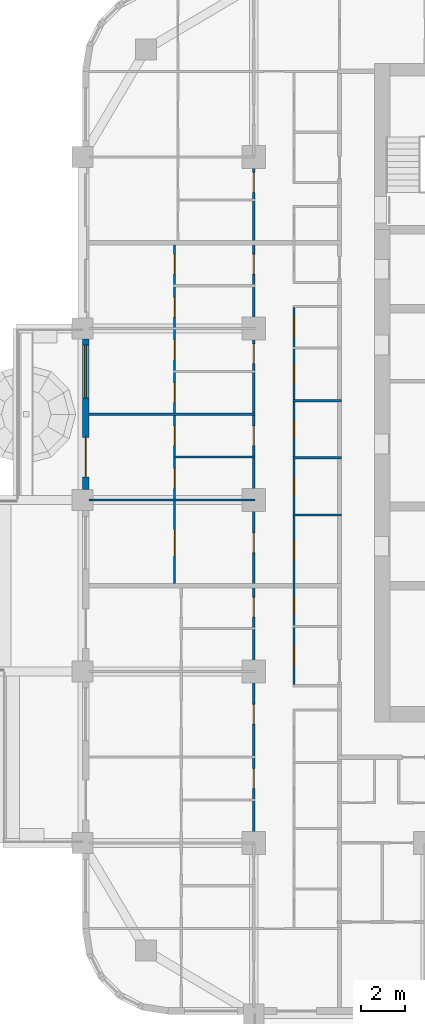
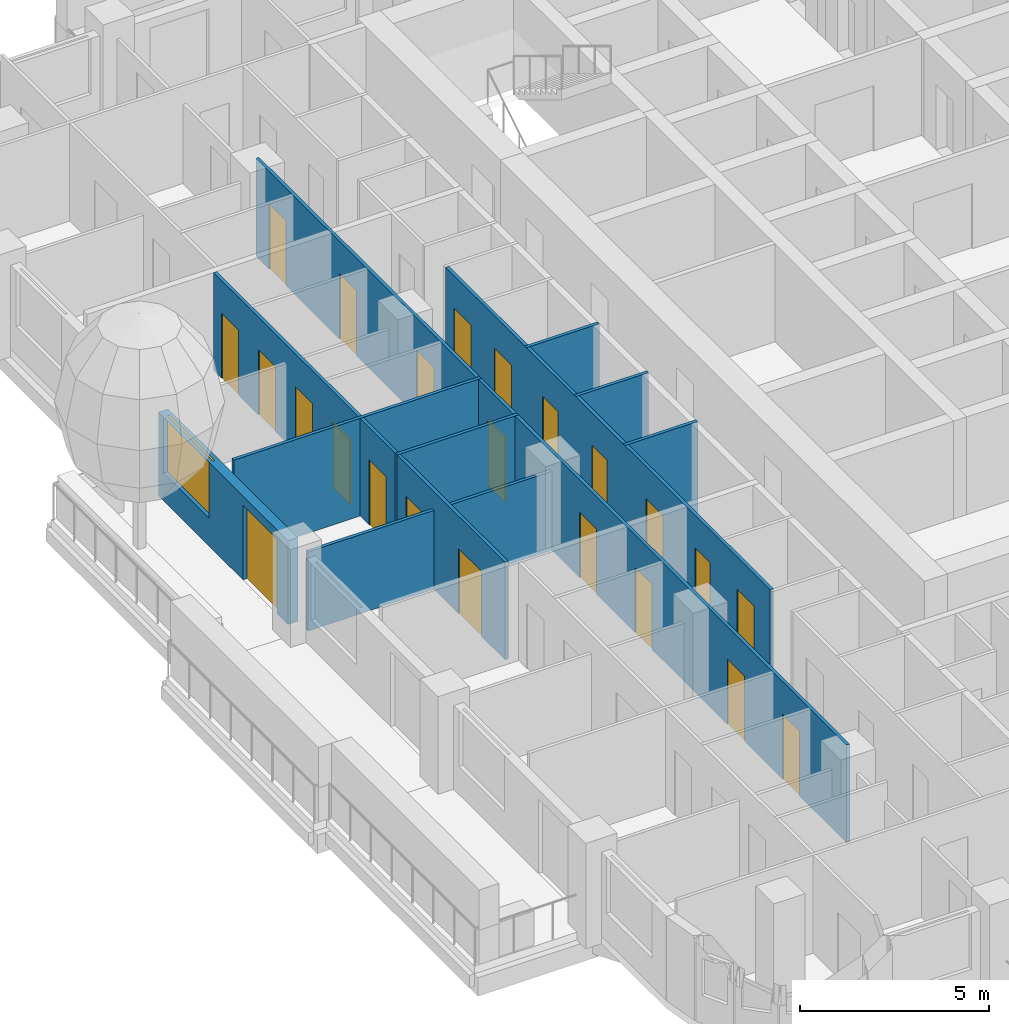
# One storey, part 5 of 18: 23 doors, 10 walls, 1 window, 24 openings.
"""IFC4 building model written with IfcOpenShell, lengths in metres."""

import ifcopenshell
import ifcopenshell.guid

model = None  # the IFC model being written
_history = None  # IfcOwnerHistory: only IFC2X3 demands one
_inside = {}  # id of a spatial element -> (the spatial element, [elements in it])
_under = {}  # id of a project, library or spatial element -> (it, [spatial elements below it])
_declared = {}  # id of a project -> (the project, [libraries it declares])
_typed = {}  # id of a type object -> (the type object, [elements of that type])
_made_of = {}  # id of a material, layer set ... -> (it, [elements and type objects made of it])


def new_model(schema):
    """Start an empty IFC model of exactly this schema.

    Asked for "IFC4X3", IfcOpenShell would pick the latest addendum, in which some entities
    have other attributes; the version numbers below select the first issue.
    IFC2X3 requires an IfcOwnerHistory on every rooted entity: one is made here for all.
    """
    global model, _history
    if schema == "IFC4X3":
        model = ifcopenshell.file(schema_version=(4, 3, 0, 0))
    else:
        model = ifcopenshell.file(schema=schema)
    _inside.clear()
    _under.clear()
    _declared.clear()
    _typed.clear()
    _made_of.clear()
    _history = None
    if model.schema == "IFC2X3":
        org = make("IfcOrganization", Name="unknown")
        user = make(
            "IfcPersonAndOrganization",
            ThePerson=make("IfcPerson", FamilyName="unknown"),
            TheOrganization=org,
        )
        app = make(
            "IfcApplication",
            ApplicationDeveloper=org,
            Version="unknown",
            ApplicationFullName="unknown",
            ApplicationIdentifier="unknown",
        )
        _history = make(
            "IfcOwnerHistory",
            OwningUser=user,
            OwningApplication=app,
            ChangeAction="ADDED",
            CreationDate=0,
        )
    return model


def make(cls, **values):
    """One entity of the class cls with the attributes given. An attribute that is None is left unset."""
    return model.create_entity(
        cls, **{name: value for name, value in values.items() if value is not None}
    )


def rooted(cls, **values):
    """An entity with a GlobalId (a new one), such as an element, a storey or a relation."""
    return make(cls, GlobalId=ifcopenshell.guid.new(), OwnerHistory=_history, **values)


def si_unit(unit_type, name, prefix=None):
    """IfcSIUnit, for example si_unit("LENGTHUNIT", "METRE", prefix="MILLI")."""
    return make("IfcSIUnit", UnitType=unit_type, Prefix=prefix, Name=name)


def assignment(units):
    """IfcUnitAssignment: the units of a project."""
    return None if units is None else make("IfcUnitAssignment", Units=units)


def point(xyz):
    """IfcCartesianPoint."""
    return None if xyz is None else make("IfcCartesianPoint", Coordinates=xyz)


def direction(xyz):
    """IfcDirection."""
    return None if xyz is None else make("IfcDirection", DirectionRatios=xyz)


def frame(location, z_axis=None, x_axis=None):
    """IfcAxis2Placement3D, a coordinate frame: its origin and axes. An axis left out is left unset."""
    return make(
        "IfcAxis2Placement3D",
        Location=point(location),
        Axis=direction(z_axis),
        RefDirection=direction(x_axis),
    )


def frame_2d(location, x_axis=None):
    """IfcAxis2Placement2D, a coordinate frame in the plane: its origin and x axis."""
    return make(
        "IfcAxis2Placement2D", Location=point(location), RefDirection=direction(x_axis)
    )


def origin():
    """The frame at (0, 0, 0) with its axes left unset."""
    return frame((0.0, 0.0, 0.0))


def place(relative_to, where):
    """IfcLocalPlacement: puts the frame where relative to a parent placement (None: the world)."""
    return make(
        "IfcLocalPlacement", PlacementRelTo=relative_to, RelativePlacement=where
    )


def context(
    kind, dimensions, precision=None, world=None, true_north=None, identifier=None
):
    """IfcGeometricRepresentationContext, for example the 3D "Model" context."""
    return make(
        "IfcGeometricRepresentationContext",
        ContextIdentifier=identifier,
        ContextType=kind,
        CoordinateSpaceDimension=dimensions,
        Precision=precision,
        WorldCoordinateSystem=world,
        TrueNorth=true_north,
    )


def subcontext(parent, identifier, kind, view, scale=None):
    """IfcGeometricRepresentationSubContext, for example "Body" below "Model"."""
    return make(
        "IfcGeometricRepresentationSubContext",
        ContextIdentifier=identifier,
        ContextType=kind,
        ParentContext=parent,
        TargetScale=scale,
        TargetView=view,
    )


def project(units=None, contexts=None):
    """IfcProject with its units and contexts."""
    return rooted(
        "IfcProject",
        Name="project",
        RepresentationContexts=contexts,
        UnitsInContext=assignment(units),
    )


def spatial(cls, under=None, at=None, **own):
    """A site, building, storey or space (cls), placed at a placement, below another one or the project."""
    s = rooted(cls, ObjectPlacement=at, **own)
    if under is not None:
        _under.setdefault(under.id(), (under, []))[1].append(s)
    return s


def profile(cls, at=None, kind="AREA", **sizes):
    """A parametric profile (cls). Its sizes go by their IFC names, for example OverallWidth=200.0."""
    return make(cls, ProfileType=kind, Position=at, **sizes)


def rectangle(**sizes):
    """IfcRectangleProfileDef."""
    return profile("IfcRectangleProfileDef", **sizes)


def extrude(swept, where, along, depth):
    """IfcExtrudedAreaSolid: the profile swept, set in the frame where, extruded along a direction by depth."""
    return make(
        "IfcExtrudedAreaSolid",
        SweptArea=swept,
        Position=where,
        ExtrudedDirection=direction(along),
        Depth=depth,
    )


def shape(context_of_items, identifier, shape_type, items):
    """IfcShapeRepresentation: the items that make up one representation, for example the "Body"."""
    return make(
        "IfcShapeRepresentation",
        ContextOfItems=context_of_items,
        RepresentationIdentifier=identifier,
        RepresentationType=shape_type,
        Items=items,
    )


def material(Name=None, Category=None):
    """IfcMaterial."""
    return make("IfcMaterial", Name=Name, Category=Category)


def layer(
    of_material, thickness, ventilated=None, Name=None, Category=None, Priority=None
):
    """IfcMaterialLayer: one layer of a wall or slab, of a material (None: an air gap)."""
    return make(
        "IfcMaterialLayer",
        Material=of_material,
        LayerThickness=thickness,
        IsVentilated=ventilated,
        Name=Name,
        Category=Category,
        Priority=Priority,
    )


def layer_set(layers, Name=None):
    """IfcMaterialLayerSet."""
    return make("IfcMaterialLayerSet", MaterialLayers=layers, LayerSetName=Name)


def made_of(thing, what):
    """Note that an element or type object is made of a material, layer set ...; save() writes the relation."""
    if what is not None:
        _made_of.setdefault(what.id(), (what, []))[1].append(thing)
    return thing


def type_object(cls, material=None, **own):
    """A type object (cls), such as IfcWallType, which elements share."""
    return made_of(rooted(cls, **own), material)


def element(
    cls,
    number,
    at=None,
    inside=None,
    cuts=None,
    type_object=None,
    material=None,
    context=None,
    identifier="Body",
    shape_type=None,
    held_by="IfcProductDefinitionShape",
    body=None,
    shapes=None,
    **own,
):
    """One element of the class cls, such as IfcWall. Its Tag is "e" and its number.

    at: its placement. inside: the storey or other place that contains it. cuts: it is an
    opening in that element (IfcRelVoidsElement). A single representation is given by context,
    identifier, shape_type and body (its items); several are given by shapes. held_by: the class
    of the entity that holds the representations. save() writes the other relations.
    """
    e = rooted(cls, Tag="e%d" % number, ObjectPlacement=at, **own)
    if body is not None:
        shapes = [shape(context, identifier, shape_type, body)]
    if shapes is not None:
        e.Representation = make(held_by, Representations=shapes)
    if inside is not None:
        _inside.setdefault(inside.id(), (inside, []))[1].append(e)
    if cuts is not None:
        rooted(
            "IfcRelVoidsElement", RelatingBuildingElement=cuts, RelatedOpeningElement=e
        )
    if type_object is not None:
        _typed.setdefault(type_object.id(), (type_object, []))[1].append(e)
    return made_of(e, material)


def fill(opening, filler):
    """IfcRelFillsElement: the door or window that sits in an opening."""
    return rooted(
        "IfcRelFillsElement",
        RelatingOpeningElement=opening,
        RelatedBuildingElement=filler,
    )


def aggregate(whole, parts):
    """IfcRelAggregates: a whole, such as a stair, and the parts it consists of."""
    return rooted("IfcRelAggregates", RelatingObject=whole, RelatedObjects=parts)


def save(model, path):
    """Write the relations noted so far, then the file.

    IfcRelAggregates (storeys below a building ...), IfcRelContainedInSpatialStructure (elements
    in a storey), IfcRelDefinesByType, IfcRelAssociatesMaterial and IfcRelDeclares: one each for
    every whole, place, type object, material and project.
    """
    for whole, parts in _under.values():
        aggregate(whole, parts)
    for where, things in _inside.values():
        rooted(
            "IfcRelContainedInSpatialStructure",
            RelatedElements=things,
            RelatingStructure=where,
        )
    for kind, things in _typed.values():
        rooted("IfcRelDefinesByType", RelatedObjects=things, RelatingType=kind)
    for what, things in _made_of.values():
        rooted("IfcRelAssociatesMaterial", RelatedObjects=things, RelatingMaterial=what)
    for by, libraries in _declared.values():
        rooted("IfcRelDeclares", RelatingContext=by, RelatedDefinitions=libraries)
    model.write(path)


model = new_model("IFC4")

# Units and contexts
model_context = context("Model", 3, precision=1e-05, world=origin(), true_north=direction((0.0, 1.0)))
body_context = subcontext(model_context, "Body", "Model", "MODEL_VIEW")
ifc_project = project(units=[si_unit("LENGTHUNIT", "METRE"), si_unit("AREAUNIT", "SQUARE_METRE"), si_unit("VOLUMEUNIT", "CUBIC_METRE"), si_unit("PLANEANGLEUNIT", "RADIAN"), si_unit("MASSUNIT", "GRAM", prefix="KILO")], contexts=[model_context])

# Site, building, storey
site_placement = place(None, origin())
site = spatial("IfcSite", under=ifc_project, at=site_placement, CompositionType="ELEMENT")
building_placement = place(site_placement, origin())
building = spatial("IfcBuilding", under=site, at=building_placement, Name="Ludao Terraces", CompositionType="ELEMENT")
storey_placement = place(building_placement, frame((0.0, 0.0, 58.0)))
storey = spatial("IfcBuildingStorey", under=building, at=storey_placement, Name="L15", CompositionType="ELEMENT", Elevation=58.0)

# Wall, openings, door, window
ifc_material_1 = material(Name="Granite cladding", Category="masonry")
ifc_layer_1 = layer(ifc_material_1, 0.0400390625, Category="stone")
ifc_material_2 = material(Name="Mineral wool")
ifc_layer_2 = layer(ifc_material_2, 0.06005859375)
ifc_material_3 = material(Name="Concrete C40", Category="concrete")
ifc_layer_3 = layer(ifc_material_3, 0.199951171875, Category="concrete")
ifc_layer_set_1 = layer_set([ifc_layer_1, ifc_layer_2, ifc_layer_3], Name="ENV Stone-clad wall 300")
wall_type_1 = type_object("IfcWallType", Name="ENV Stone-clad wall 300", PredefinedType="SOLIDWALL", material=ifc_layer_set_1)
wall_1_placement = place(storey_placement, frame((61.75, 65.47509765625, 0.0), z_axis=(0.0, 0.0, 1.0), x_axis=(0.0, 1.0, 0.0)))
wall_1 = element("IfcWall", 1, at=wall_1_placement, inside=storey, type_object=wall_type_1, Name="EW-L15-W4", PredefinedType="SOLIDWALL", context=body_context, shape_type="SweptSolid", body=[
    extrude(rectangle(XDim=6.849853515625, YDim=0.300048828125, at=frame_2d((3.4248046875, 0.0))), origin(), (0.0, 0.0, 1.0), 2.699951171875),
])
opening_1_placement = place(wall_1_placement, frame((0.574951171875, 0.0, 0.0)))
opening_1 = element("IfcOpeningElement", 2, at=opening_1_placement, cuts=wall_1, Name="Opening BD", PredefinedType="OPENING", context=body_context, shape_type="SweptSolid", body=[
    extrude(rectangle(XDim=1.800048828125, YDim=2.39990234375, at=frame_2d((0.89990234375, 1.199951171875))), frame((0.0, 0.16015625, 0.0), z_axis=(0.0, -1.0, 0.0), x_axis=(1.0, 0.0, 0.0)), (0.0, 0.0, 1.0), 0.320068359375),
])
opening_2_placement = place(wall_1_placement, frame((4.175048828125, 0.0, 0.89990234375)))
opening_2 = element("IfcOpeningElement", 3, at=opening_2_placement, cuts=wall_1, Name="Opening W1", PredefinedType="OPENING", context=body_context, shape_type="SweptSolid", body=[
    extrude(rectangle(XDim=2.39990234375, YDim=1.800048828125, at=frame_2d((1.199951171875, 0.89990234375))), frame((0.0, 0.16015625, 0.0), z_axis=(0.0, -1.0, 0.0), x_axis=(1.0, 0.0, 0.0)), (0.0, 0.0, 1.0), 0.320068359375),
])
ifc_material_4 = material(Name="Aluminium glazed door", Category="aluminium")
ifc_layer_4 = layer(ifc_material_4, 0.06005859375)
ifc_layer_set_2 = layer_set([ifc_layer_4], Name="ENV Balcony door BD 1800x2400")
door_type_1 = type_object("IfcDoorType", Name="ENV Balcony door BD 1800x2400", OperationType="DOUBLE_DOOR_SINGLE_SWING", PredefinedType="DOOR", material=ifc_layer_set_2)
door_1_placement = place(opening_1_placement, origin())
door_1 = element("IfcDoor", 4, at=door_1_placement, inside=storey, type_object=door_type_1, Name="BD-L15-W4-1", OperationType="DOUBLE_DOOR_SINGLE_SWING", OverallHeight=2.39990234375, OverallWidth=1.800048828125, PredefinedType="DOOR", context=body_context, shape_type="SweptSolid", body=[
    extrude(rectangle(XDim=1.800048828125, YDim=2.39990234375, at=frame_2d((0.89990234375, 1.199951171875))), frame((0.0, 0.02490234375, 0.0), z_axis=(0.0, -1.0, 0.0), x_axis=(1.0, 0.0, 0.0)), (0.0, 0.0, 1.0), 0.050048828125),
])
fill(opening_1, door_1)
ifc_material_5 = material(Name="Clear glass in aluminium frame", Category="aluminium")
ifc_layer_5 = layer(ifc_material_5, 0.06005859375)
ifc_layer_set_3 = layer_set([ifc_layer_5], Name="ENV Window W1 2400x1800")
window_type = type_object("IfcWindowType", Name="ENV Window W1 2400x1800", PartitioningType="DOUBLE_PANEL_VERTICAL", PredefinedType="WINDOW", material=ifc_layer_set_3)
window_placement = place(opening_2_placement, origin())
window = element("IfcWindow", 5, at=window_placement, inside=storey, type_object=window_type, Name="W-L15-W4-2", OverallHeight=1.800048828125, OverallWidth=2.39990234375, PartitioningType="DOUBLE_PANEL_VERTICAL", PredefinedType="WINDOW", context=body_context, shape_type="SweptSolid", body=[
    extrude(rectangle(XDim=2.39990234375, YDim=1.800048828125, at=frame_2d((1.199951171875, 0.89990234375))), frame((0.0, 0.030029296875, 0.0), z_axis=(0.0, -1.0, 0.0), x_axis=(1.0, 0.0, 0.0)), (0.0, 0.0, 1.0), 0.06005859375),
])
fill(opening_2, window)

# Walls
ifc_material_6 = material(Name="Gypsum plasterboard", Category="gypsum")
ifc_layer_6 = layer(ifc_material_6, 0.012451171875, Category="gypsum")
ifc_layer_7 = layer(ifc_material_2, 0.06005859375, Name="insulation")
ifc_material_7 = material(Name="Steel Q235", Category="steel")
ifc_layer_8 = layer(ifc_material_7, 0.014892578125, Name="stud")
ifc_layer_9 = layer(ifc_material_6, 0.012451171875, Category="gypsum")
ifc_layer_set_4 = layer_set([ifc_layer_6, ifc_layer_7, ifc_layer_8, ifc_layer_9], Name="INT Partition 100")
wall_type_2 = type_object("IfcWallType", Name="INT Partition 100", PredefinedType="PARTITIONING", material=ifc_layer_set_4)
wall_2_placement = place(storey_placement, frame((71.18017578125, 64.320068359375, 0.0), z_axis=(0.0, 0.0, 1.0), x_axis=(1.0, 0.0, 0.0)))
element("IfcWall", 6, at=wall_2_placement, inside=storey, type_object=wall_type_2, Name="PW-L15-PW038", PredefinedType="PARTITIONING", context=body_context, shape_type="SweptSolid", body=[
    extrude(rectangle(XDim=2.219970703125, YDim=0.10009765625, at=frame_2d((1.10986328125, 0.0))), origin(), (0.0, 0.0, 1.0), 3.14990234375),
])
wall_3_placement = place(storey_placement, frame((61.900146484375, 65.0, 0.0), z_axis=(0.0, 0.0, 1.0), x_axis=(1.0, 0.0, 0.0)))
element("IfcWall", 7, at=wall_3_placement, inside=storey, type_object=wall_type_2, Name="PW-L15-PW039", PredefinedType="PARTITIONING", context=body_context, shape_type="SweptSolid", body=[
    extrude(rectangle(XDim=7.550048828125, YDim=0.10009765625, at=frame_2d((3.77490234375, 0.0))), origin(), (0.0, 0.0, 1.0), 2.550048828125),
])
wall_4_placement = place(storey_placement, frame((71.18017578125, 66.919921875, 0.0), z_axis=(0.0, 0.0, 1.0), x_axis=(1.0, 0.0, 0.0)))
element("IfcWall", 8, at=wall_4_placement, inside=storey, type_object=wall_type_2, Name="PW-L15-PW042", PredefinedType="PARTITIONING", context=body_context, shape_type="SweptSolid", body=[
    extrude(rectangle(XDim=2.219970703125, YDim=0.10009765625, at=frame_2d((1.10986328125, 0.0))), origin(), (0.0, 0.0, 1.0), 3.14990234375),
])
wall_5_placement = place(storey_placement, frame((65.75, 66.949951171875, 0.0), z_axis=(0.0, 0.0, 1.0), x_axis=(1.0, 0.0, 0.0)))
element("IfcWall", 9, at=wall_5_placement, inside=storey, type_object=wall_type_2, Name="PW-L15-PW043", PredefinedType="PARTITIONING", context=body_context, shape_type="SweptSolid", body=[
    extrude(rectangle(XDim=3.7001953125, YDim=0.10009765625, at=frame_2d((1.85009765625, 0.0))), origin(), (0.0, 0.0, 1.0), 3.14990234375),
])
wall_6_placement = place(storey_placement, frame((61.900146484375, 68.89990234375, 0.0), z_axis=(0.0, 0.0, 1.0), x_axis=(1.0, 0.0, 0.0)))
element("IfcWall", 10, at=wall_6_placement, inside=storey, type_object=wall_type_2, Name="PW-L15-PW045", PredefinedType="PARTITIONING", context=body_context, shape_type="SweptSolid", body=[
    extrude(rectangle(XDim=7.550048828125, YDim=0.10009765625, at=frame_2d((3.77490234375, 0.0))), origin(), (0.0, 0.0, 1.0), 3.14990234375),
])
wall_7_placement = place(storey_placement, frame((71.18017578125, 69.52001953125, 0.0), z_axis=(0.0, 0.0, 1.0), x_axis=(1.0, 0.0, 0.0)))
element("IfcWall", 11, at=wall_7_placement, inside=storey, type_object=wall_type_2, Name="PW-L15-PW047", PredefinedType="PARTITIONING", context=body_context, shape_type="SweptSolid", body=[
    extrude(rectangle(XDim=2.219970703125, YDim=0.10009765625, at=frame_2d((1.10986328125, 0.0))), origin(), (0.0, 0.0, 1.0), 3.14990234375),
])

# Wall, openings, doors
wall_8_placement = place(storey_placement, frame((65.800048828125, 61.2001953125, 0.0), z_axis=(0.0, 0.0, 1.0), x_axis=(0.0, 1.0, 0.0)))
wall_8 = element("IfcWall", 12, at=wall_8_placement, inside=storey, type_object=wall_type_2, Name="PW-L15-PW080", PredefinedType="PARTITIONING", context=body_context, shape_type="SweptSolid", body=[
    extrude(rectangle(XDim=15.39990234375, YDim=0.10009765625, at=frame_2d((7.699951171875, 0.0))), origin(), (0.0, 0.0, 1.0), 3.14990234375),
])
opening_3_placement = place(wall_8_placement, frame((1.25, 0.0, 0.0)))
opening_3 = element("IfcOpeningElement", 13, at=opening_3_placement, cuts=wall_8, Name="Opening R04-077", PredefinedType="OPENING", context=body_context, shape_type="SweptSolid", body=[
    extrude(rectangle(XDim=1.199951171875, YDim=2.10009765625, at=frame_2d((0.60009765625, 1.050048828125))), frame((0.0, 0.06005859375, 0.0), z_axis=(0.0, -1.0, 0.0), x_axis=(1.0, 0.0, 0.0)), (0.0, 0.0, 1.0), 0.1201171875),
])
opening_4_placement = place(wall_8_placement, frame((4.324951171875, 0.0, 0.0)))
opening_4 = element("IfcOpeningElement", 14, at=opening_4_placement, cuts=wall_8, Name="Opening R04-086", PredefinedType="OPENING", context=body_context, shape_type="SweptSolid", body=[
    extrude(rectangle(XDim=0.89990234375, YDim=2.10009765625, at=frame_2d((0.449951171875, 1.050048828125))), frame((0.0, 0.06005859375, 0.0), z_axis=(0.0, -1.0, 0.0), x_axis=(1.0, 0.0, 0.0)), (0.0, 0.0, 1.0), 0.1201171875),
])
opening_5_placement = place(wall_8_placement, frame((6.27490234375, 0.0, 0.0)))
opening_5 = element("IfcOpeningElement", 15, at=opening_5_placement, cuts=wall_8, Name="Opening R04-093", PredefinedType="OPENING", context=body_context, shape_type="SweptSolid", body=[
    extrude(rectangle(XDim=0.89990234375, YDim=2.10009765625, at=frame_2d((0.449951171875, 1.050048828125))), frame((0.0, 0.06005859375, 0.0), z_axis=(0.0, -1.0, 0.0), x_axis=(1.0, 0.0, 0.0)), (0.0, 0.0, 1.0), 0.1201171875),
])
opening_6_placement = place(wall_8_placement, frame((8.224853515625, 0.0, 0.0)))
opening_6 = element("IfcOpeningElement", 16, at=opening_6_placement, cuts=wall_8, Name="Opening R04-097", PredefinedType="OPENING", context=body_context, shape_type="SweptSolid", body=[
    extrude(rectangle(XDim=0.89990234375, YDim=2.10009765625, at=frame_2d((0.449951171875, 1.050048828125))), frame((0.0, 0.06005859375, 0.0), z_axis=(0.0, -1.0, 0.0), x_axis=(1.0, 0.0, 0.0)), (0.0, 0.0, 1.0), 0.1201171875),
])
opening_7_placement = place(wall_8_placement, frame((10.1748046875, 0.0, 0.0)))
opening_7 = element("IfcOpeningElement", 17, at=opening_7_placement, cuts=wall_8, Name="Opening R04-105", PredefinedType="OPENING", context=body_context, shape_type="SweptSolid", body=[
    extrude(rectangle(XDim=0.89990234375, YDim=2.10009765625, at=frame_2d((0.449951171875, 1.050048828125))), frame((0.0, 0.06005859375, 0.0), z_axis=(0.0, -1.0, 0.0), x_axis=(1.0, 0.0, 0.0)), (0.0, 0.0, 1.0), 0.1201171875),
])
opening_8_placement = place(wall_8_placement, frame((12.125, 0.0, 0.0)))
opening_8 = element("IfcOpeningElement", 18, at=opening_8_placement, cuts=wall_8, Name="Opening R04-112", PredefinedType="OPENING", context=body_context, shape_type="SweptSolid", body=[
    extrude(rectangle(XDim=0.89990234375, YDim=2.10009765625, at=frame_2d((0.449951171875, 1.050048828125))), frame((0.0, 0.06005859375, 0.0), z_axis=(0.0, -1.0, 0.0), x_axis=(1.0, 0.0, 0.0)), (0.0, 0.0, 1.0), 0.1201171875),
])
opening_9_placement = place(wall_8_placement, frame((14.074951171875, 0.0, 0.0)))
opening_9 = element("IfcOpeningElement", 19, at=opening_9_placement, cuts=wall_8, Name="Opening R04-120", PredefinedType="OPENING", context=body_context, shape_type="SweptSolid", body=[
    extrude(rectangle(XDim=0.89990234375, YDim=2.10009765625, at=frame_2d((0.449951171875, 1.050048828125))), frame((0.0, 0.06005859375, 0.0), z_axis=(0.0, -1.0, 0.0), x_axis=(1.0, 0.0, 0.0)), (0.0, 0.0, 1.0), 0.1201171875),
])
ifc_material_8 = material(Name="Timber door leaf", Category="wood")
door_type_2 = type_object("IfcDoorType", Name="INT Bathroom door 900", OperationType="SINGLE_SWING_LEFT", PredefinedType="DOOR", material=ifc_material_8)
door_2_placement = place(opening_4_placement, origin())
door_2 = element("IfcDoor", 20, at=door_2_placement, inside=storey, type_object=door_type_2, Name="DOOR 086", OperationType="SINGLE_SWING_RIGHT", OverallHeight=2.10009765625, OverallWidth=0.89990234375, PredefinedType="DOOR", context=body_context, shape_type="SweptSolid", body=[
    extrude(rectangle(XDim=0.89990234375, YDim=2.10009765625, at=frame_2d((0.449951171875, 1.050048828125))), frame((0.0, 0.02490234375, 0.0), z_axis=(0.0, -1.0, 0.0), x_axis=(1.0, 0.0, 0.0)), (0.0, 0.0, 1.0), 0.050048828125),
])
fill(opening_4, door_2)
door_3_placement = place(opening_6_placement, origin())
door_3 = element("IfcDoor", 21, at=door_3_placement, inside=storey, type_object=door_type_2, Name="DOOR 097", OperationType="SINGLE_SWING_RIGHT", OverallHeight=2.10009765625, OverallWidth=0.89990234375, PredefinedType="DOOR", context=body_context, shape_type="SweptSolid", body=[
    extrude(rectangle(XDim=0.89990234375, YDim=2.10009765625, at=frame_2d((0.449951171875, 1.050048828125))), frame((0.0, 0.02490234375, 0.0), z_axis=(0.0, -1.0, 0.0), x_axis=(1.0, 0.0, 0.0)), (0.0, 0.0, 1.0), 0.050048828125),
])
fill(opening_6, door_3)
door_4_placement = place(opening_8_placement, origin())
door_4 = element("IfcDoor", 22, at=door_4_placement, inside=storey, type_object=door_type_2, Name="DOOR 112", OperationType="SINGLE_SWING_RIGHT", OverallHeight=2.10009765625, OverallWidth=0.89990234375, PredefinedType="DOOR", context=body_context, shape_type="SweptSolid", body=[
    extrude(rectangle(XDim=0.89990234375, YDim=2.10009765625, at=frame_2d((0.449951171875, 1.050048828125))), frame((0.0, 0.02490234375, 0.0), z_axis=(0.0, -1.0, 0.0), x_axis=(1.0, 0.0, 0.0)), (0.0, 0.0, 1.0), 0.050048828125),
])
fill(opening_8, door_4)
door_type_3 = type_object("IfcDoorType", Name="INT Double door 1200", OperationType="DOUBLE_DOOR_SINGLE_SWING", PredefinedType="DOOR", material=ifc_material_8)
door_5_placement = place(opening_3_placement, origin())
door_5 = element("IfcDoor", 23, at=door_5_placement, inside=storey, type_object=door_type_3, Name="DOOR 077", OperationType="DOUBLE_DOOR_SINGLE_SWING", OverallHeight=2.10009765625, OverallWidth=1.199951171875, PredefinedType="DOOR", context=body_context, shape_type="SweptSolid", body=[
    extrude(rectangle(XDim=1.199951171875, YDim=2.10009765625, at=frame_2d((0.60009765625, 1.050048828125))), frame((0.0, 0.02490234375, 0.0), z_axis=(0.0, -1.0, 0.0), x_axis=(1.0, 0.0, 0.0)), (0.0, 0.0, 1.0), 0.050048828125),
])
fill(opening_3, door_5)
door_type_4 = type_object("IfcDoorType", Name="INT Room door 900", OperationType="SINGLE_SWING_LEFT", PredefinedType="DOOR", material=ifc_material_8)
door_6_placement = place(opening_5_placement, origin())
door_6 = element("IfcDoor", 24, at=door_6_placement, inside=storey, type_object=door_type_4, Name="DOOR 093", OperationType="SINGLE_SWING_LEFT", OverallHeight=2.10009765625, OverallWidth=0.89990234375, PredefinedType="DOOR", context=body_context, shape_type="SweptSolid", body=[
    extrude(rectangle(XDim=0.89990234375, YDim=2.10009765625, at=frame_2d((0.449951171875, 1.050048828125))), frame((0.0, 0.02490234375, 0.0), z_axis=(0.0, -1.0, 0.0), x_axis=(1.0, 0.0, 0.0)), (0.0, 0.0, 1.0), 0.050048828125),
])
fill(opening_5, door_6)
door_7_placement = place(opening_7_placement, origin())
door_7 = element("IfcDoor", 25, at=door_7_placement, inside=storey, type_object=door_type_4, Name="DOOR 105", OperationType="SINGLE_SWING_RIGHT", OverallHeight=2.10009765625, OverallWidth=0.89990234375, PredefinedType="DOOR", context=body_context, shape_type="SweptSolid", body=[
    extrude(rectangle(XDim=0.89990234375, YDim=2.10009765625, at=frame_2d((0.449951171875, 1.050048828125))), frame((0.0, 0.02490234375, 0.0), z_axis=(0.0, -1.0, 0.0), x_axis=(1.0, 0.0, 0.0)), (0.0, 0.0, 1.0), 0.050048828125),
])
fill(opening_7, door_7)
door_8_placement = place(opening_9_placement, origin())
door_8 = element("IfcDoor", 26, at=door_8_placement, inside=storey, type_object=door_type_4, Name="DOOR 120", OperationType="SINGLE_SWING_LEFT", OverallHeight=2.10009765625, OverallWidth=0.89990234375, PredefinedType="DOOR", context=body_context, shape_type="SweptSolid", body=[
    extrude(rectangle(XDim=0.89990234375, YDim=2.10009765625, at=frame_2d((0.449951171875, 1.050048828125))), frame((0.0, 0.02490234375, 0.0), z_axis=(0.0, -1.0, 0.0), x_axis=(1.0, 0.0, 0.0)), (0.0, 0.0, 1.0), 0.050048828125),
])
fill(opening_9, door_8)

wall_9_placement = place(storey_placement, frame((69.39990234375, 49.39990234375, 0.0), z_axis=(0.0, 0.0, 1.0), x_axis=(0.0, 1.0, 0.0)))
wall_9 = element("IfcWall", 27, at=wall_9_placement, inside=storey, type_object=wall_type_2, Name="PW-L15-PW083-2", PredefinedType="PARTITIONING", context=body_context, shape_type="SweptSolid", body=[
    extrude(rectangle(XDim=31.2001953125, YDim=0.10009765625, at=frame_2d((15.60009765625, 0.0))), origin(), (0.0, 0.0, 1.0), 3.14990234375),
])
opening_10_placement = place(wall_9_placement, frame((2.47509765625, 0.0, 0.0)))
opening_10 = element("IfcOpeningElement", 28, at=opening_10_placement, cuts=wall_9, Name="Opening R04-046", PredefinedType="OPENING", context=body_context, shape_type="SweptSolid", body=[
    extrude(rectangle(XDim=0.89990234375, YDim=2.10009765625, at=frame_2d((0.449951171875, 1.050048828125))), frame((0.0, 0.06005859375, 0.0), z_axis=(0.0, -1.0, 0.0), x_axis=(1.0, 0.0, 0.0)), (0.0, 0.0, 1.0), 0.1201171875),
])
opening_11_placement = place(wall_9_placement, frame((5.400146484375, 0.0, 0.0)))
opening_11 = element("IfcOpeningElement", 29, at=opening_11_placement, cuts=wall_9, Name="Opening R04-054", PredefinedType="OPENING", context=body_context, shape_type="SweptSolid", body=[
    extrude(rectangle(XDim=0.89990234375, YDim=2.10009765625, at=frame_2d((0.449951171875, 1.050048828125))), frame((0.0, 0.06005859375, 0.0), z_axis=(0.0, -1.0, 0.0), x_axis=(1.0, 0.0, 0.0)), (0.0, 0.0, 1.0), 0.1201171875),
])
opening_12_placement = place(wall_9_placement, frame((10.275146484375, 0.0, 0.0)))
opening_12 = element("IfcOpeningElement", 30, at=opening_12_placement, cuts=wall_9, Name="Opening R04-068", PredefinedType="OPENING", context=body_context, shape_type="SweptSolid", body=[
    extrude(rectangle(XDim=0.89990234375, YDim=2.10009765625, at=frame_2d((0.449951171875, 1.050048828125))), frame((0.0, 0.06005859375, 0.0), z_axis=(0.0, -1.0, 0.0), x_axis=(1.0, 0.0, 0.0)), (0.0, 0.0, 1.0), 0.1201171875),
])
opening_13_placement = place(wall_9_placement, frame((13.2001953125, 0.0, 0.0)))
opening_13 = element("IfcOpeningElement", 31, at=opening_13_placement, cuts=wall_9, Name="Opening R04-078", PredefinedType="OPENING", context=body_context, shape_type="SweptSolid", body=[
    extrude(rectangle(XDim=0.89990234375, YDim=2.10009765625, at=frame_2d((0.449951171875, 1.050048828125))), frame((0.0, 0.06005859375, 0.0), z_axis=(0.0, -1.0, 0.0), x_axis=(1.0, 0.0, 0.0)), (0.0, 0.0, 1.0), 0.1201171875),
])
opening_14_placement = place(wall_9_placement, frame((18.0751953125, 0.0, 0.0)))
opening_14 = element("IfcOpeningElement", 32, at=opening_14_placement, cuts=wall_9, Name="Opening R04-094", PredefinedType="OPENING", context=body_context, shape_type="SweptSolid", body=[
    extrude(rectangle(XDim=0.89990234375, YDim=2.10009765625, at=frame_2d((0.449951171875, 1.050048828125))), frame((0.0, 0.06005859375, 0.0), z_axis=(0.0, -1.0, 0.0), x_axis=(1.0, 0.0, 0.0)), (0.0, 0.0, 1.0), 0.1201171875),
])
opening_15_placement = place(wall_9_placement, frame((21.80029296875, 0.0, 0.0)))
opening_15 = element("IfcOpeningElement", 33, at=opening_15_placement, cuts=wall_9, Name="Opening R04-103", PredefinedType="OPENING", context=body_context, shape_type="SweptSolid", body=[
    extrude(rectangle(XDim=0.89990234375, YDim=2.10009765625, at=frame_2d((0.449951171875, 1.050048828125))), frame((0.0, 0.06005859375, 0.0), z_axis=(0.0, -1.0, 0.0), x_axis=(1.0, 0.0, 0.0)), (0.0, 0.0, 1.0), 0.1201171875),
])
opening_16_placement = place(wall_9_placement, frame((25.875244140625, 0.0, 0.0)))
opening_16 = element("IfcOpeningElement", 34, at=opening_16_placement, cuts=wall_9, Name="Opening R04-121", PredefinedType="OPENING", context=body_context, shape_type="SweptSolid", body=[
    extrude(rectangle(XDim=0.89990234375, YDim=2.10009765625, at=frame_2d((0.449951171875, 1.050048828125))), frame((0.0, 0.06005859375, 0.0), z_axis=(0.0, -1.0, 0.0), x_axis=(1.0, 0.0, 0.0)), (0.0, 0.0, 1.0), 0.1201171875),
])
opening_17_placement = place(wall_9_placement, frame((29.60009765625, 0.0, 0.0)))
opening_17 = element("IfcOpeningElement", 35, at=opening_17_placement, cuts=wall_9, Name="Opening R04-135", PredefinedType="OPENING", context=body_context, shape_type="SweptSolid", body=[
    extrude(rectangle(XDim=0.89990234375, YDim=2.10009765625, at=frame_2d((0.449951171875, 1.050048828125))), frame((0.0, 0.06005859375, 0.0), z_axis=(0.0, -1.0, 0.0), x_axis=(1.0, 0.0, 0.0)), (0.0, 0.0, 1.0), 0.1201171875),
])
door_9_placement = place(opening_10_placement, origin())
door_9 = element("IfcDoor", 36, at=door_9_placement, inside=storey, type_object=door_type_4, Name="DOOR 046", OperationType="SINGLE_SWING_RIGHT", OverallHeight=2.10009765625, OverallWidth=0.89990234375, PredefinedType="DOOR", context=body_context, shape_type="SweptSolid", body=[
    extrude(rectangle(XDim=0.89990234375, YDim=2.10009765625, at=frame_2d((0.449951171875, 1.050048828125))), frame((0.0, 0.02490234375, 0.0), z_axis=(0.0, -1.0, 0.0), x_axis=(1.0, 0.0, 0.0)), (0.0, 0.0, 1.0), 0.050048828125),
])
fill(opening_10, door_9)
door_10_placement = place(opening_11_placement, origin())
door_10 = element("IfcDoor", 37, at=door_10_placement, inside=storey, type_object=door_type_4, Name="DOOR 054", OperationType="SINGLE_SWING_RIGHT", OverallHeight=2.10009765625, OverallWidth=0.89990234375, PredefinedType="DOOR", context=body_context, shape_type="SweptSolid", body=[
    extrude(rectangle(XDim=0.89990234375, YDim=2.10009765625, at=frame_2d((0.449951171875, 1.050048828125))), frame((0.0, 0.02490234375, 0.0), z_axis=(0.0, -1.0, 0.0), x_axis=(1.0, 0.0, 0.0)), (0.0, 0.0, 1.0), 0.050048828125),
])
fill(opening_11, door_10)
door_11_placement = place(opening_12_placement, origin())
door_11 = element("IfcDoor", 38, at=door_11_placement, inside=storey, type_object=door_type_4, Name="DOOR 068", OperationType="SINGLE_SWING_LEFT", OverallHeight=2.10009765625, OverallWidth=0.89990234375, PredefinedType="DOOR", context=body_context, shape_type="SweptSolid", body=[
    extrude(rectangle(XDim=0.89990234375, YDim=2.10009765625, at=frame_2d((0.449951171875, 1.050048828125))), frame((0.0, 0.02490234375, 0.0), z_axis=(0.0, -1.0, 0.0), x_axis=(1.0, 0.0, 0.0)), (0.0, 0.0, 1.0), 0.050048828125),
])
fill(opening_12, door_11)
door_12_placement = place(opening_13_placement, origin())
door_12 = element("IfcDoor", 39, at=door_12_placement, inside=storey, type_object=door_type_4, Name="DOOR 078", OperationType="SINGLE_SWING_LEFT", OverallHeight=2.10009765625, OverallWidth=0.89990234375, PredefinedType="DOOR", context=body_context, shape_type="SweptSolid", body=[
    extrude(rectangle(XDim=0.89990234375, YDim=2.10009765625, at=frame_2d((0.449951171875, 1.050048828125))), frame((0.0, 0.02490234375, 0.0), z_axis=(0.0, -1.0, 0.0), x_axis=(1.0, 0.0, 0.0)), (0.0, 0.0, 1.0), 0.050048828125),
])
fill(opening_13, door_12)
door_13_placement = place(opening_14_placement, origin())
door_13 = element("IfcDoor", 40, at=door_13_placement, inside=storey, type_object=door_type_4, Name="DOOR 094", OperationType="SINGLE_SWING_RIGHT", OverallHeight=2.10009765625, OverallWidth=0.89990234375, PredefinedType="DOOR", context=body_context, shape_type="SweptSolid", body=[
    extrude(rectangle(XDim=0.89990234375, YDim=2.10009765625, at=frame_2d((0.449951171875, 1.050048828125))), frame((0.0, 0.02490234375, 0.0), z_axis=(0.0, -1.0, 0.0), x_axis=(1.0, 0.0, 0.0)), (0.0, 0.0, 1.0), 0.050048828125),
])
fill(opening_14, door_13)
door_14_placement = place(opening_15_placement, origin())
door_14 = element("IfcDoor", 41, at=door_14_placement, inside=storey, type_object=door_type_4, Name="DOOR 103", OperationType="SINGLE_SWING_LEFT", OverallHeight=2.10009765625, OverallWidth=0.89990234375, PredefinedType="DOOR", context=body_context, shape_type="SweptSolid", body=[
    extrude(rectangle(XDim=0.89990234375, YDim=2.10009765625, at=frame_2d((0.449951171875, 1.050048828125))), frame((0.0, 0.02490234375, 0.0), z_axis=(0.0, -1.0, 0.0), x_axis=(1.0, 0.0, 0.0)), (0.0, 0.0, 1.0), 0.050048828125),
])
fill(opening_15, door_14)
door_15_placement = place(opening_16_placement, origin())
door_15 = element("IfcDoor", 42, at=door_15_placement, inside=storey, type_object=door_type_4, Name="DOOR 121", OperationType="SINGLE_SWING_RIGHT", OverallHeight=2.10009765625, OverallWidth=0.89990234375, PredefinedType="DOOR", context=body_context, shape_type="SweptSolid", body=[
    extrude(rectangle(XDim=0.89990234375, YDim=2.10009765625, at=frame_2d((0.449951171875, 1.050048828125))), frame((0.0, 0.02490234375, 0.0), z_axis=(0.0, -1.0, 0.0), x_axis=(1.0, 0.0, 0.0)), (0.0, 0.0, 1.0), 0.050048828125),
])
fill(opening_16, door_15)
door_16_placement = place(opening_17_placement, origin())
door_16 = element("IfcDoor", 43, at=door_16_placement, inside=storey, type_object=door_type_4, Name="DOOR 135", OperationType="SINGLE_SWING_LEFT", OverallHeight=2.10009765625, OverallWidth=0.89990234375, PredefinedType="DOOR", context=body_context, shape_type="SweptSolid", body=[
    extrude(rectangle(XDim=0.89990234375, YDim=2.10009765625, at=frame_2d((0.449951171875, 1.050048828125))), frame((0.0, 0.02490234375, 0.0), z_axis=(0.0, -1.0, 0.0), x_axis=(1.0, 0.0, 0.0)), (0.0, 0.0, 1.0), 0.050048828125),
])
fill(opening_17, door_16)

wall_10_placement = place(storey_placement, frame((71.22998046875, 56.60009765625, 0.0), z_axis=(0.0, 0.0, 1.0), x_axis=(0.0, 1.0, 0.0)))
wall_10 = element("IfcWall", 44, at=wall_10_placement, inside=storey, type_object=wall_type_2, Name="PW-L15-PW085", PredefinedType="PARTITIONING", context=body_context, shape_type="SweptSolid", body=[
    extrude(rectangle(XDim=17.14990234375, YDim=0.10009765625, at=frame_2d((8.574951171875, 0.0))), origin(), (0.0, 0.0, 1.0), 3.14990234375),
])
opening_18_placement = place(wall_10_placement, frame((0.85009765625, 0.0, 0.0)))
opening_18 = element("IfcOpeningElement", 45, at=opening_18_placement, cuts=wall_10, Name="Opening R04-063", PredefinedType="OPENING", context=body_context, shape_type="SweptSolid", body=[
    extrude(rectangle(XDim=0.89990234375, YDim=2.10009765625, at=frame_2d((0.449951171875, 1.050048828125))), frame((0.0, 0.06005859375, 0.0), z_axis=(0.0, -1.0, 0.0), x_axis=(1.0, 0.0, 0.0)), (0.0, 0.0, 1.0), 0.1201171875),
])
opening_19_placement = place(wall_10_placement, frame((3.175048828125, 0.0, 0.0)))
opening_19 = element("IfcOpeningElement", 46, at=opening_19_placement, cuts=wall_10, Name="Opening R04-071", PredefinedType="OPENING", context=body_context, shape_type="SweptSolid", body=[
    extrude(rectangle(XDim=0.800048828125, YDim=2.10009765625, at=frame_2d((0.39990234375, 1.050048828125))), frame((0.0, 0.06005859375, 0.0), z_axis=(0.0, -1.0, 0.0), x_axis=(1.0, 0.0, 0.0)), (0.0, 0.0, 1.0), 0.1201171875),
])
opening_20_placement = place(wall_10_placement, frame((5.659912109375, 0.0, 0.0)))
opening_20 = element("IfcOpeningElement", 47, at=opening_20_placement, cuts=wall_10, Name="Opening R04-075", PredefinedType="OPENING", context=body_context, shape_type="SweptSolid", body=[
    extrude(rectangle(XDim=0.89990234375, YDim=2.10009765625, at=frame_2d((0.449951171875, 1.050048828125))), frame((0.0, 0.06005859375, 0.0), z_axis=(0.0, -1.0, 0.0), x_axis=(1.0, 0.0, 0.0)), (0.0, 0.0, 1.0), 0.1201171875),
])
opening_21_placement = place(wall_10_placement, frame((8.6201171875, 0.0, 0.0)))
opening_21 = element("IfcOpeningElement", 48, at=opening_21_placement, cuts=wall_10, Name="Opening R04-084", PredefinedType="OPENING", context=body_context, shape_type="SweptSolid", body=[
    extrude(rectangle(XDim=0.800048828125, YDim=2.10009765625, at=frame_2d((0.39990234375, 1.050048828125))), frame((0.0, 0.06005859375, 0.0), z_axis=(0.0, -1.0, 0.0), x_axis=(1.0, 0.0, 0.0)), (0.0, 0.0, 1.0), 0.1201171875),
])
opening_22_placement = place(wall_10_placement, frame((11.219970703125, 0.0, 0.0)))
opening_22 = element("IfcOpeningElement", 49, at=opening_22_placement, cuts=wall_10, Name="Opening R04-095", PredefinedType="OPENING", context=body_context, shape_type="SweptSolid", body=[
    extrude(rectangle(XDim=0.800048828125, YDim=2.10009765625, at=frame_2d((0.39990234375, 1.050048828125))), frame((0.0, 0.06005859375, 0.0), z_axis=(0.0, -1.0, 0.0), x_axis=(1.0, 0.0, 0.0)), (0.0, 0.0, 1.0), 0.1201171875),
])
opening_23_placement = place(wall_10_placement, frame((13.669921875, 0.0, 0.0)))
opening_23 = element("IfcOpeningElement", 50, at=opening_23_placement, cuts=wall_10, Name="Opening R04-100", PredefinedType="OPENING", context=body_context, shape_type="SweptSolid", body=[
    extrude(rectangle(XDim=0.89990234375, YDim=2.10009765625, at=frame_2d((0.449951171875, 1.050048828125))), frame((0.0, 0.06005859375, 0.0), z_axis=(0.0, -1.0, 0.0), x_axis=(1.0, 0.0, 0.0)), (0.0, 0.0, 1.0), 0.1201171875),
])
opening_24_placement = place(wall_10_placement, frame((15.81005859375, 0.0, 0.0)))
opening_24 = element("IfcOpeningElement", 51, at=opening_24_placement, cuts=wall_10, Name="Opening R04-111", PredefinedType="OPENING", context=body_context, shape_type="SweptSolid", body=[
    extrude(rectangle(XDim=0.89990234375, YDim=2.10009765625, at=frame_2d((0.449951171875, 1.050048828125))), frame((0.0, 0.06005859375, 0.0), z_axis=(0.0, -1.0, 0.0), x_axis=(1.0, 0.0, 0.0)), (0.0, 0.0, 1.0), 0.1201171875),
])
door_17_placement = place(opening_23_placement, origin())
door_17 = element("IfcDoor", 52, at=door_17_placement, inside=storey, type_object=door_type_2, Name="DOOR 100", OperationType="SINGLE_SWING_RIGHT", OverallHeight=2.10009765625, OverallWidth=0.89990234375, PredefinedType="DOOR", context=body_context, shape_type="SweptSolid", body=[
    extrude(rectangle(XDim=0.89990234375, YDim=2.10009765625, at=frame_2d((0.449951171875, 1.050048828125))), frame((0.0, 0.02490234375, 0.0), z_axis=(0.0, -1.0, 0.0), x_axis=(1.0, 0.0, 0.0)), (0.0, 0.0, 1.0), 0.050048828125),
])
fill(opening_23, door_17)
door_18_placement = place(opening_24_placement, origin())
door_18 = element("IfcDoor", 53, at=door_18_placement, inside=storey, type_object=door_type_2, Name="DOOR 111", OperationType="SINGLE_SWING_RIGHT", OverallHeight=2.10009765625, OverallWidth=0.89990234375, PredefinedType="DOOR", context=body_context, shape_type="SweptSolid", body=[
    extrude(rectangle(XDim=0.89990234375, YDim=2.10009765625, at=frame_2d((0.449951171875, 1.050048828125))), frame((0.0, 0.02490234375, 0.0), z_axis=(0.0, -1.0, 0.0), x_axis=(1.0, 0.0, 0.0)), (0.0, 0.0, 1.0), 0.050048828125),
])
fill(opening_24, door_18)
door_19_placement = place(opening_18_placement, origin())
door_19 = element("IfcDoor", 54, at=door_19_placement, inside=storey, type_object=door_type_4, Name="DOOR 063", OperationType="SINGLE_SWING_RIGHT", OverallHeight=2.10009765625, OverallWidth=0.89990234375, PredefinedType="DOOR", context=body_context, shape_type="SweptSolid", body=[
    extrude(rectangle(XDim=0.89990234375, YDim=2.10009765625, at=frame_2d((0.449951171875, 1.050048828125))), frame((0.0, 0.02490234375, 0.0), z_axis=(0.0, -1.0, 0.0), x_axis=(1.0, 0.0, 0.0)), (0.0, 0.0, 1.0), 0.050048828125),
])
fill(opening_18, door_19)
door_20_placement = place(opening_20_placement, origin())
door_20 = element("IfcDoor", 55, at=door_20_placement, inside=storey, type_object=door_type_4, Name="DOOR 075", OperationType="SINGLE_SWING_RIGHT", OverallHeight=2.10009765625, OverallWidth=0.89990234375, PredefinedType="DOOR", context=body_context, shape_type="SweptSolid", body=[
    extrude(rectangle(XDim=0.89990234375, YDim=2.10009765625, at=frame_2d((0.449951171875, 1.050048828125))), frame((0.0, 0.02490234375, 0.0), z_axis=(0.0, -1.0, 0.0), x_axis=(1.0, 0.0, 0.0)), (0.0, 0.0, 1.0), 0.050048828125),
])
fill(opening_20, door_20)
door_type_5 = type_object("IfcDoorType", Name="INT Store door 800", OperationType="SINGLE_SWING_LEFT", PredefinedType="DOOR", material=ifc_material_8)
door_21_placement = place(opening_19_placement, origin())
door_21 = element("IfcDoor", 56, at=door_21_placement, inside=storey, type_object=door_type_5, Name="DOOR 071", OperationType="SINGLE_SWING_LEFT", OverallHeight=2.10009765625, OverallWidth=0.800048828125, PredefinedType="DOOR", context=body_context, shape_type="SweptSolid", body=[
    extrude(rectangle(XDim=0.800048828125, YDim=2.10009765625, at=frame_2d((0.39990234375, 1.050048828125))), frame((0.0, 0.02490234375, 0.0), z_axis=(0.0, -1.0, 0.0), x_axis=(1.0, 0.0, 0.0)), (0.0, 0.0, 1.0), 0.050048828125),
])
fill(opening_19, door_21)
door_22_placement = place(opening_21_placement, origin())
door_22 = element("IfcDoor", 57, at=door_22_placement, inside=storey, type_object=door_type_5, Name="DOOR 084", OperationType="SINGLE_SWING_RIGHT", OverallHeight=2.10009765625, OverallWidth=0.800048828125, PredefinedType="DOOR", context=body_context, shape_type="SweptSolid", body=[
    extrude(rectangle(XDim=0.800048828125, YDim=2.10009765625, at=frame_2d((0.39990234375, 1.050048828125))), frame((0.0, 0.02490234375, 0.0), z_axis=(0.0, -1.0, 0.0), x_axis=(1.0, 0.0, 0.0)), (0.0, 0.0, 1.0), 0.050048828125),
])
fill(opening_21, door_22)
door_23_placement = place(opening_22_placement, origin())
door_23 = element("IfcDoor", 58, at=door_23_placement, inside=storey, type_object=door_type_5, Name="DOOR 095", OperationType="SINGLE_SWING_RIGHT", OverallHeight=2.10009765625, OverallWidth=0.800048828125, PredefinedType="DOOR", context=body_context, shape_type="SweptSolid", body=[
    extrude(rectangle(XDim=0.800048828125, YDim=2.10009765625, at=frame_2d((0.39990234375, 1.050048828125))), frame((0.0, 0.02490234375, 0.0), z_axis=(0.0, -1.0, 0.0), x_axis=(1.0, 0.0, 0.0)), (0.0, 0.0, 1.0), 0.050048828125),
])
fill(opening_22, door_23)

save(model, "model.ifc")
